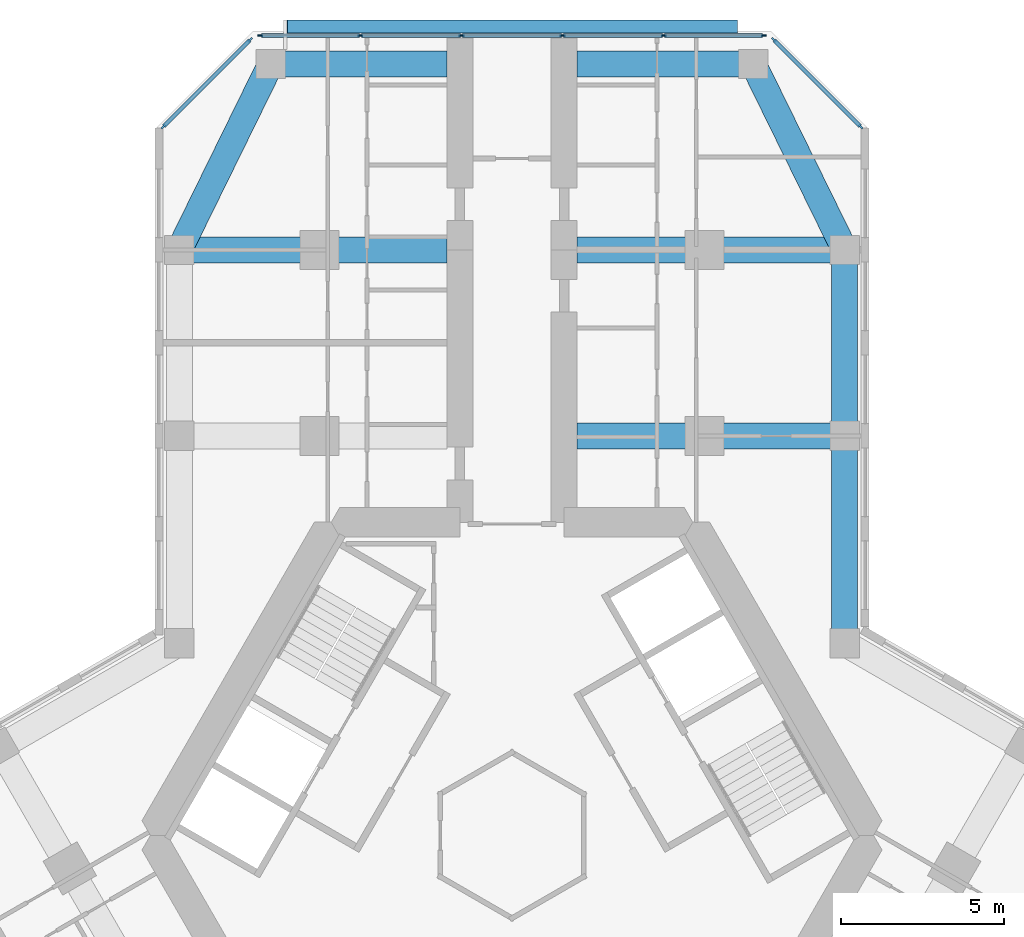
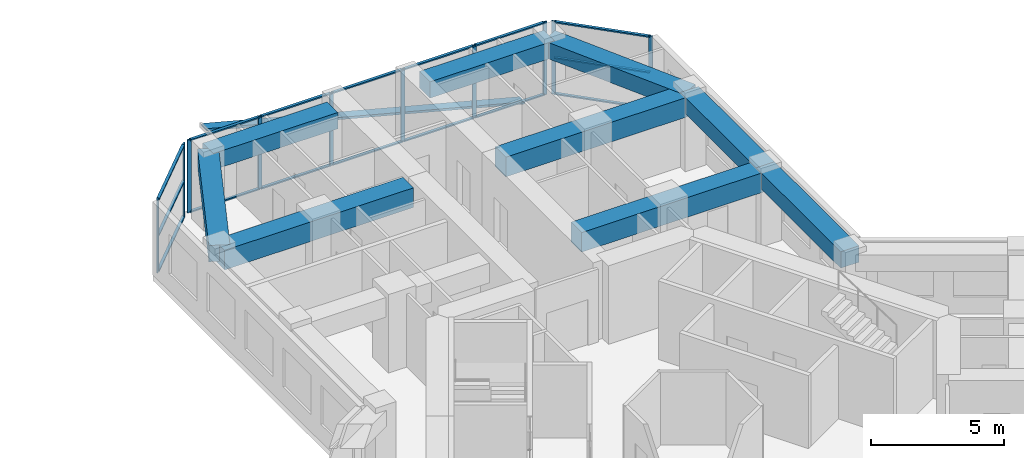
# One storey, part 7 of 19: 27 members, 9 beams, 3 elements without a shape of their own.
"""IFC4 building model written with IfcOpenShell, lengths in metres."""

from ifc_helpers import new_model, si_unit, direction, frame, origin, origin_2d, place, context, subcontext, project, spatial, rectangle, extrude, material, material_profile, profile_set, type_object, element, aggregate, save


model = new_model("IFC4")

# Units and contexts
model_context = context("Model", 3, precision=1e-05, world=origin(), true_north=direction((0.0, 1.0)))
body_context = subcontext(model_context, "Body", "Model", "MODEL_VIEW")
ifc_project = project(units=[si_unit("LENGTHUNIT", "METRE"), si_unit("AREAUNIT", "SQUARE_METRE"), si_unit("VOLUMEUNIT", "CUBIC_METRE"), si_unit("PLANEANGLEUNIT", "RADIAN"), si_unit("MASSUNIT", "GRAM", prefix="KILO")], contexts=[model_context])

# Site, building, storey
site_placement = place(None, origin())
site = spatial("IfcSite", under=ifc_project, at=site_placement, CompositionType="ELEMENT")
building_placement = place(site_placement, origin())
building = spatial("IfcBuilding", under=site, at=building_placement, Name="Kosmar Iwan School Tower", CompositionType="ELEMENT")
storey_placement = place(building_placement, frame((0.0, 0.0, 138.199951171875)))
storey = spatial("IfcBuildingStorey", under=building, at=storey_placement, Name="L34", CompositionType="ELEMENT", Elevation=138.199951171875)

# Member
ifc_material_1 = material(Name="Black anodised aluminium", Category="aluminium")
ifc_material_profile_1 = material_profile(ifc_material_1, rectangle(XDim=0.10009765625, YDim=0.39990234375, at=origin_2d()), Name="FIN 100x400")
ifc_profile_set_1 = profile_set([ifc_material_profile_1], Name="Black anodised aluminium")
member_type_1 = type_object("IfcMemberType", Name="Diagonal fin 100x400", PredefinedType="USERDEFINED", material=ifc_profile_set_1)
member_1_placement = place(storey_placement, frame((6.898193359375, 24.800048828125, -0.14990234375), z_axis=(-0.967603633438, 0.0, 0.252474174041), x_axis=(0.252474174041, 0.0, 0.967603633438)))
element("IfcMember", 1, at=member_1_placement, inside=storey, type_object=member_type_1, Name="Diagonal fin L34-F08", ObjectType="FIN", PredefinedType="USERDEFINED", context=body_context, shape_type="SweptSolid", body=[
    extrude(rectangle(XDim=0.10009765625, YDim=0.39990234375, at=origin_2d()), origin(), (0.0, 0.0, 1.0), 14.25830078125),
])

# Curtain wall, members
ifc_material_2 = material(Name="Dark glass in black aluminium frame", Category="aluminium")
curtain_wall_type_1 = type_object("IfcCurtainWallType", Name="Chamfer curtain wall dark glass", PredefinedType="USERDEFINED", material=ifc_material_2)
curtain_wall_1_placement = place(storey_placement, origin())
curtain_wall_1 = element("IfcCurtainWall", 2, at=curtain_wall_1_placement, inside=storey, type_object=curtain_wall_type_1, Name="Curtain wall L34-F07", ObjectType="FACETED CURTAIN WALL", PredefinedType="USERDEFINED")
ifc_material_3 = material(Name="Black anodised aluminium", Category="aluminium")
ifc_material_profile_2 = material_profile(ifc_material_3, rectangle(XDim=0.06005859375, YDim=0.159912109375, at=origin_2d()), Name="MULLION 60x160")
ifc_profile_set_2 = profile_set([ifc_material_profile_2], Name="Black anodised aluminium")
member_type_2 = type_object("IfcMemberType", Name="Mullion 60x160", PredefinedType="MULLION", material=ifc_profile_set_2)
member_2_placement = place(storey_placement, frame((10.69775390625, 21.7255859375, 0.0), z_axis=(0.0, 0.0, 1.0), x_axis=(-0.707106781187, -0.707106781187, 0.0)))
member_2 = element("IfcMember", 3, at=member_2_placement, type_object=member_type_2, Name="CW2 mullion 1", PredefinedType="MULLION", context=body_context, shape_type="SweptSolid", body=[
    extrude(rectangle(XDim=0.06005859375, YDim=0.159912109375, at=origin_2d()), origin(), (0.0, 0.0, 1.0), 3.35009765625),
])
member_3_placement = place(storey_placement, frame((8.025390625, 24.397705078125, 0.0), z_axis=(0.0, 0.0, 1.0), x_axis=(-0.707106781187, -0.707106781187, 0.0)))
member_3 = element("IfcMember", 4, at=member_3_placement, type_object=member_type_2, Name="CW2 mullion 2", PredefinedType="MULLION", context=body_context, shape_type="SweptSolid", body=[
    extrude(rectangle(XDim=0.06005859375, YDim=0.159912109375, at=origin_2d()), origin(), (0.0, 0.0, 1.0), 3.35009765625),
])

ifc_material_4 = material(Name="Dark glass in black aluminium frame", Category="aluminium")
curtain_wall_type_2 = type_object("IfcCurtainWallType", Name="Tower curtain wall dark glass", PredefinedType="USERDEFINED", material=ifc_material_4)
curtain_wall_2_placement = place(storey_placement, origin())
curtain_wall_2 = element("IfcCurtainWall", 5, at=curtain_wall_2_placement, inside=storey, type_object=curtain_wall_type_2, Name="Curtain wall L34-F08", ObjectType="UNITISED CURTAIN WALL", PredefinedType="USERDEFINED")
member_4_placement = place(storey_placement, frame((7.71826171875, 24.52490234375, 0.0), z_axis=(0.0, 0.0, 1.0), x_axis=(0.0, -1.0, 0.0)))
member_4 = element("IfcMember", 6, at=member_4_placement, type_object=member_type_2, Name="CW1 mullion 1", PredefinedType="MULLION", context=body_context, shape_type="SweptSolid", body=[
    extrude(rectangle(XDim=0.06005859375, YDim=0.159912109375, at=origin_2d()), origin(), (0.0, 0.0, 1.0), 3.35009765625),
])
member_5_placement = place(storey_placement, frame((4.64892578125, 24.52490234375, 0.0), z_axis=(0.0, 0.0, 1.0), x_axis=(0.0, -1.0, 0.0)))
member_5 = element("IfcMember", 7, at=member_5_placement, type_object=member_type_2, Name="CW1 mullion 2", PredefinedType="MULLION", context=body_context, shape_type="SweptSolid", body=[
    extrude(rectangle(XDim=0.06005859375, YDim=0.159912109375, at=origin_2d()), origin(), (0.0, 0.0, 1.0), 3.35009765625),
])
member_6_placement = place(storey_placement, frame((1.549560546875, 24.52490234375, 0.0), z_axis=(0.0, 0.0, 1.0), x_axis=(0.0, -1.0, 0.0)))
member_6 = element("IfcMember", 8, at=member_6_placement, type_object=member_type_2, Name="CW1 mullion 3", PredefinedType="MULLION", context=body_context, shape_type="SweptSolid", body=[
    extrude(rectangle(XDim=0.06005859375, YDim=0.159912109375, at=origin_2d()), origin(), (0.0, 0.0, 1.0), 3.35009765625),
])
member_7_placement = place(storey_placement, frame((-1.549560546875, 24.52490234375, 0.0), z_axis=(0.0, 0.0, 1.0), x_axis=(0.0, -1.0, 0.0)))
member_7 = element("IfcMember", 9, at=member_7_placement, type_object=member_type_2, Name="CW1 mullion 4", PredefinedType="MULLION", context=body_context, shape_type="SweptSolid", body=[
    extrude(rectangle(XDim=0.06005859375, YDim=0.159912109375, at=origin_2d()), origin(), (0.0, 0.0, 1.0), 3.35009765625),
])
member_8_placement = place(storey_placement, frame((-4.64892578125, 24.52490234375, 0.0), z_axis=(0.0, 0.0, 1.0), x_axis=(0.0, -1.0, 0.0)))
member_8 = element("IfcMember", 10, at=member_8_placement, type_object=member_type_2, Name="CW1 mullion 5", PredefinedType="MULLION", context=body_context, shape_type="SweptSolid", body=[
    extrude(rectangle(XDim=0.06005859375, YDim=0.159912109375, at=origin_2d()), origin(), (0.0, 0.0, 1.0), 3.35009765625),
])
member_9_placement = place(storey_placement, frame((-7.71826171875, 24.52490234375, 0.0), z_axis=(0.0, 0.0, 1.0), x_axis=(0.0, -1.0, 0.0)))
member_9 = element("IfcMember", 11, at=member_9_placement, type_object=member_type_2, Name="CW1 mullion 6", PredefinedType="MULLION", context=body_context, shape_type="SweptSolid", body=[
    extrude(rectangle(XDim=0.06005859375, YDim=0.159912109375, at=origin_2d()), origin(), (0.0, 0.0, 1.0), 3.35009765625),
])

curtain_wall_3_placement = place(storey_placement, origin())
curtain_wall_3 = element("IfcCurtainWall", 12, at=curtain_wall_3_placement, inside=storey, type_object=curtain_wall_type_1, Name="Curtain wall L34-F09", ObjectType="FACETED CURTAIN WALL", PredefinedType="USERDEFINED")
member_10_placement = place(storey_placement, frame((-8.025390625, 24.397705078125, 0.0), z_axis=(0.0, 0.0, 1.0), x_axis=(0.707106781187, -0.707106781187, 0.0)))
member_10 = element("IfcMember", 13, at=member_10_placement, type_object=member_type_2, Name="CW2 mullion 1", PredefinedType="MULLION", context=body_context, shape_type="SweptSolid", body=[
    extrude(rectangle(XDim=0.06005859375, YDim=0.159912109375, at=origin_2d()), origin(), (0.0, 0.0, 1.0), 3.35009765625),
])
member_11_placement = place(storey_placement, frame((-10.69775390625, 21.7255859375, 0.0), z_axis=(0.0, 0.0, 1.0), x_axis=(0.707106781187, -0.707106781187, 0.0)))
member_11 = element("IfcMember", 14, at=member_11_placement, type_object=member_type_2, Name="CW2 mullion 2", PredefinedType="MULLION", context=body_context, shape_type="SweptSolid", body=[
    extrude(rectangle(XDim=0.06005859375, YDim=0.159912109375, at=origin_2d()), origin(), (0.0, 0.0, 1.0), 3.35009765625),
])

# Beams
ifc_material_5 = material(Name="Concrete C50/60", Category="concrete")
ifc_material_profile_3 = material_profile(ifc_material_5, rectangle(XDim=0.800048828125, YDim=0.75, at=origin_2d()), Name="RC 800x750")
ifc_profile_set_3 = profile_set([ifc_material_profile_3], Name="Concrete C50/60")
beam_type_1 = type_object("IfcBeamType", Name="RC edge beam 800x750", PredefinedType="BEAM", material=ifc_profile_set_3)
beam_1_placement = place(storey_placement, frame((10.199951171875, 5.888916015625, 2.97509765625), z_axis=(0.0, 1.0, 0.0), x_axis=(-1.0, 0.0, 0.0)))
element("IfcBeam", 15, at=beam_1_placement, inside=storey, type_object=beam_type_1, Name="Edge beam AR1", PredefinedType="BEAM", context=body_context, shape_type="SweptSolid", body=[
    extrude(rectangle(XDim=0.800048828125, YDim=0.75, at=origin_2d()), origin(), (0.0, 0.0, 1.0), 6.361083984375),
])
beam_2_placement = place(storey_placement, frame((10.199951171875, 12.25, 2.97509765625), z_axis=(0.0, 1.0, 0.0), x_axis=(-1.0, 0.0, 0.0)))
element("IfcBeam", 16, at=beam_2_placement, inside=storey, type_object=beam_type_1, Name="Edge beam AR2", PredefinedType="BEAM", context=body_context, shape_type="SweptSolid", body=[
    extrude(rectangle(XDim=0.800048828125, YDim=0.75, at=origin_2d()), origin(), (0.0, 0.0, 1.0), 5.699951171875),
])
ifc_material_6 = material(Name="Concrete C50/60", Category="concrete")
ifc_material_profile_4 = material_profile(ifc_material_6, rectangle(XDim=0.800048828125, YDim=0.75, at=origin_2d()), Name="RC 800x750")
ifc_profile_set_4 = profile_set([ifc_material_profile_4], Name="Concrete C50/60")
beam_type_2 = type_object("IfcBeamType", Name="RC tip beam 800x750", PredefinedType="BEAM", material=ifc_profile_set_4)
beam_3_placement = place(storey_placement, frame((-10.199951171875, 17.949951171875, 2.97509765625), z_axis=(0.440913116462, 0.897549788999, 0.0), x_axis=(-0.897549788999, 0.440913116462, 0.0)))
element("IfcBeam", 17, at=beam_3_placement, inside=storey, type_object=beam_type_2, Name="Tip beam AL", PredefinedType="BEAM", context=body_context, shape_type="SweptSolid", body=[
    extrude(rectangle(XDim=0.800048828125, YDim=0.75, at=origin_2d()), origin(), (0.0, 0.0, 1.0), 6.3505859375),
])
beam_4_placement = place(storey_placement, frame((-7.39990234375, 23.64990234375, 2.97509765625), z_axis=(1.0, 0.0, 0.0), x_axis=(0.0, 1.0, 0.0)))
element("IfcBeam", 18, at=beam_4_placement, inside=storey, type_object=beam_type_2, Name="Tip beam AL to corridor wall", PredefinedType="BEAM", context=body_context, shape_type="SweptSolid", body=[
    extrude(rectangle(XDim=0.800048828125, YDim=0.75, at=origin_2d()), origin(), (0.0, 0.0, 1.0), 5.39990234375),
])
beam_5_placement = place(storey_placement, frame((10.199951171875, 17.949951171875, 2.97509765625), z_axis=(-0.440913116462, 0.897549788999, 0.0), x_axis=(-0.897549788999, -0.440913116462, 0.0)))
element("IfcBeam", 19, at=beam_5_placement, inside=storey, type_object=beam_type_2, Name="Tip beam AR", PredefinedType="BEAM", context=body_context, shape_type="SweptSolid", body=[
    extrude(rectangle(XDim=0.800048828125, YDim=0.75, at=origin_2d()), origin(), (0.0, 0.0, 1.0), 6.3505859375),
])
beam_6_placement = place(storey_placement, frame((7.39990234375, 23.64990234375, 2.97509765625), z_axis=(-1.0, 0.0, 0.0), x_axis=(0.0, -1.0, 0.0)))
element("IfcBeam", 20, at=beam_6_placement, inside=storey, type_object=beam_type_2, Name="Tip beam AR to corridor wall", PredefinedType="BEAM", context=body_context, shape_type="SweptSolid", body=[
    extrude(rectangle(XDim=0.800048828125, YDim=0.75, at=origin_2d()), origin(), (0.0, 0.0, 1.0), 5.39990234375),
])
ifc_material_7 = material(Name="Concrete C50/60", Category="concrete")
ifc_material_profile_5 = material_profile(ifc_material_7, rectangle(XDim=0.800048828125, YDim=0.89990234375, at=origin_2d()), Name="RC 800x900")
ifc_profile_set_5 = profile_set([ifc_material_profile_5], Name="Concrete C50/60")
beam_type_3 = type_object("IfcBeamType", Name="RC transverse beam 800x900", PredefinedType="BEAM", material=ifc_profile_set_5)
for number, where, z_axis, x_axis, name in (
    (21, (-10.199951171875, 17.949951171875, 2.900146484375), (1.0, 0.0, 0.0), (0.0, 1.0, 0.0), "Transverse beam AL2"),
    (22, (10.199951171875, 12.25, 2.900146484375), (-1.0, 0.0, 0.0), (0.0, -1.0, 0.0), "Transverse beam AR1"),
    (23, (10.199951171875, 17.949951171875, 2.900146484375), (-1.0, 0.0, 0.0), (0.0, -1.0, 0.0), "Transverse beam AR2"),
):
    element("IfcBeam", number, at=place(storey_placement, frame(where, z_axis=z_axis, x_axis=x_axis)), inside=storey, type_object=beam_type_3, Name=name, PredefinedType="BEAM", context=body_context, shape_type="SweptSolid", body=[
        extrude(rectangle(XDim=0.800048828125, YDim=0.89990234375, at=origin_2d()), origin(), (0.0, 0.0, 1.0), 8.199951171875),
    ])

# Member
ifc_material_8 = material(Name="Black anodised aluminium", Category="aluminium")
ifc_material_profile_6 = material_profile(ifc_material_8, rectangle(XDim=0.1201171875, YDim=0.06005859375, at=origin_2d()), Name="TRANSOM 60x120")
ifc_profile_set_6 = profile_set([ifc_material_profile_6], Name="Black anodised aluminium")
member_type_3 = type_object("IfcMemberType", Name="Transom 60x120", PredefinedType="USERDEFINED", material=ifc_profile_set_6)
member_12_placement = place(storey_placement, frame((10.676513671875, 21.746826171875, 0.030029296875), z_axis=(-0.707139603466, 0.707073957383, 0.0), x_axis=(-0.707073957383, -0.707139603466, 0.0)))
member_12 = element("IfcMember", 24, at=member_12_placement, type_object=member_type_3, Name="CW2 transom 1.1", ObjectType="TRANSOM", PredefinedType="USERDEFINED", context=body_context, shape_type="SweptSolid", body=[
    extrude(rectangle(XDim=0.1201171875, YDim=0.06005859375, at=origin_2d()), origin(), (0.0, 0.0, 1.0), 3.718994140625),
])

member_13_placement = place(storey_placement, frame((10.676513671875, 21.746826171875, 1.675048828125), z_axis=(-0.707139603466, 0.707073957383, 0.0), x_axis=(-0.707073957383, -0.707139603466, 0.0)))
member_13 = element("IfcMember", 25, at=member_13_placement, type_object=member_type_3, Name="CW2 transom 1.2", ObjectType="TRANSOM", PredefinedType="USERDEFINED", context=body_context, shape_type="SweptSolid", body=[
    extrude(rectangle(XDim=0.1201171875, YDim=0.06005859375, at=origin_2d()), origin(), (0.0, 0.0, 1.0), 3.718994140625),
])

member_14_placement = place(storey_placement, frame((10.676513671875, 21.746826171875, 3.320068359375), z_axis=(-0.707139603466, 0.707073957383, 0.0), x_axis=(-0.707073957383, -0.707139603466, 0.0)))
member_14 = element("IfcMember", 26, at=member_14_placement, type_object=member_type_3, Name="CW2 transom 1.3", ObjectType="TRANSOM", PredefinedType="USERDEFINED", context=body_context, shape_type="SweptSolid", body=[
    extrude(rectangle(XDim=0.1201171875, YDim=0.06005859375, at=origin_2d()), origin(), (0.0, 0.0, 1.0), 3.718994140625),
])

aggregate(curtain_wall_1, [member_2, member_3, member_12, member_13, member_14])

member_15_placement = place(storey_placement, frame((7.688232421875, 24.52490234375, 0.030029296875), z_axis=(-1.0, 0.0, 0.0), x_axis=(0.0, -1.0, 0.0)))
member_15 = element("IfcMember", 27, at=member_15_placement, type_object=member_type_3, Name="CW1 transom 1.1", ObjectType="TRANSOM", PredefinedType="USERDEFINED", context=body_context, shape_type="SweptSolid", body=[
    extrude(rectangle(XDim=0.1201171875, YDim=0.06005859375, at=origin_2d()), origin(), (0.0, 0.0, 1.0), 3.00927734375),
])

member_16_placement = place(storey_placement, frame((7.688232421875, 24.52490234375, 3.320068359375), z_axis=(-1.0, 0.0, 0.0), x_axis=(0.0, -1.0, 0.0)))
member_16 = element("IfcMember", 28, at=member_16_placement, type_object=member_type_3, Name="CW1 transom 1.2", ObjectType="TRANSOM", PredefinedType="USERDEFINED", context=body_context, shape_type="SweptSolid", body=[
    extrude(rectangle(XDim=0.1201171875, YDim=0.06005859375, at=origin_2d()), origin(), (0.0, 0.0, 1.0), 3.00927734375),
])

member_17_placement = place(storey_placement, frame((4.618896484375, 24.52490234375, 0.030029296875), z_axis=(-1.0, 0.0, 0.0), x_axis=(0.0, -1.0, 0.0)))
member_17 = element("IfcMember", 29, at=member_17_placement, type_object=member_type_3, Name="CW1 transom 2.1", ObjectType="TRANSOM", PredefinedType="USERDEFINED", context=body_context, shape_type="SweptSolid", body=[
    extrude(rectangle(XDim=0.1201171875, YDim=0.06005859375, at=origin_2d()), origin(), (0.0, 0.0, 1.0), 3.039306640625),
])

member_18_placement = place(storey_placement, frame((4.618896484375, 24.52490234375, 3.320068359375), z_axis=(-1.0, 0.0, 0.0), x_axis=(0.0, -1.0, 0.0)))
member_18 = element("IfcMember", 30, at=member_18_placement, type_object=member_type_3, Name="CW1 transom 2.2", ObjectType="TRANSOM", PredefinedType="USERDEFINED", context=body_context, shape_type="SweptSolid", body=[
    extrude(rectangle(XDim=0.1201171875, YDim=0.06005859375, at=origin_2d()), origin(), (0.0, 0.0, 1.0), 3.039306640625),
])

member_19_placement = place(storey_placement, frame((1.51953125, 24.52490234375, 0.030029296875), z_axis=(-1.0, 0.0, 0.0), x_axis=(0.0, -1.0, 0.0)))
member_19 = element("IfcMember", 31, at=member_19_placement, type_object=member_type_3, Name="CW1 transom 3.1", ObjectType="TRANSOM", PredefinedType="USERDEFINED", context=body_context, shape_type="SweptSolid", body=[
    extrude(rectangle(XDim=0.1201171875, YDim=0.06005859375, at=origin_2d()), origin(), (0.0, 0.0, 1.0), 3.0390625),
])

member_20_placement = place(storey_placement, frame((1.51953125, 24.52490234375, 3.320068359375), z_axis=(-1.0, 0.0, 0.0), x_axis=(0.0, -1.0, 0.0)))
member_20 = element("IfcMember", 32, at=member_20_placement, type_object=member_type_3, Name="CW1 transom 3.2", ObjectType="TRANSOM", PredefinedType="USERDEFINED", context=body_context, shape_type="SweptSolid", body=[
    extrude(rectangle(XDim=0.1201171875, YDim=0.06005859375, at=origin_2d()), origin(), (0.0, 0.0, 1.0), 3.0390625),
])

member_21_placement = place(storey_placement, frame((-1.57958984375, 24.52490234375, 0.030029296875), z_axis=(-1.0, 0.0, 0.0), x_axis=(0.0, -1.0, 0.0)))
member_21 = element("IfcMember", 33, at=member_21_placement, type_object=member_type_3, Name="CW1 transom 4.1", ObjectType="TRANSOM", PredefinedType="USERDEFINED", context=body_context, shape_type="SweptSolid", body=[
    extrude(rectangle(XDim=0.1201171875, YDim=0.06005859375, at=origin_2d()), origin(), (0.0, 0.0, 1.0), 3.039306640625),
])

member_22_placement = place(storey_placement, frame((-1.57958984375, 24.52490234375, 3.320068359375), z_axis=(-1.0, 0.0, 0.0), x_axis=(0.0, -1.0, 0.0)))
member_22 = element("IfcMember", 34, at=member_22_placement, type_object=member_type_3, Name="CW1 transom 4.2", ObjectType="TRANSOM", PredefinedType="USERDEFINED", context=body_context, shape_type="SweptSolid", body=[
    extrude(rectangle(XDim=0.1201171875, YDim=0.06005859375, at=origin_2d()), origin(), (0.0, 0.0, 1.0), 3.039306640625),
])

member_23_placement = place(storey_placement, frame((-4.678955078125, 24.52490234375, 0.030029296875), z_axis=(-1.0, 0.0, 0.0), x_axis=(0.0, -1.0, 0.0)))
member_23 = element("IfcMember", 35, at=member_23_placement, type_object=member_type_3, Name="CW1 transom 5.1", ObjectType="TRANSOM", PredefinedType="USERDEFINED", context=body_context, shape_type="SweptSolid", body=[
    extrude(rectangle(XDim=0.1201171875, YDim=0.06005859375, at=origin_2d()), origin(), (0.0, 0.0, 1.0), 3.00927734375),
])

member_24_placement = place(storey_placement, frame((-4.678955078125, 24.52490234375, 3.320068359375), z_axis=(-1.0, 0.0, 0.0), x_axis=(0.0, -1.0, 0.0)))
member_24 = element("IfcMember", 36, at=member_24_placement, type_object=member_type_3, Name="CW1 transom 5.2", ObjectType="TRANSOM", PredefinedType="USERDEFINED", context=body_context, shape_type="SweptSolid", body=[
    extrude(rectangle(XDim=0.1201171875, YDim=0.06005859375, at=origin_2d()), origin(), (0.0, 0.0, 1.0), 3.00927734375),
])

aggregate(curtain_wall_2, [member_4, member_5, member_6, member_7, member_8, member_9, member_15, member_16, member_17, member_18, member_19, member_20, member_21, member_22, member_23, member_24])

member_25_placement = place(storey_placement, frame((-8.046630859375, 24.37646484375, 0.030029296875), z_axis=(-0.707139603466, -0.707073957383, 0.0), x_axis=(0.707073957383, -0.707139603466, 0.0)))
member_25 = element("IfcMember", 37, at=member_25_placement, type_object=member_type_3, Name="CW2 transom 1.1", ObjectType="TRANSOM", PredefinedType="USERDEFINED", context=body_context, shape_type="SweptSolid", body=[
    extrude(rectangle(XDim=0.1201171875, YDim=0.06005859375, at=origin_2d()), origin(), (0.0, 0.0, 1.0), 3.718994140625),
])

member_26_placement = place(storey_placement, frame((-8.046630859375, 24.37646484375, 1.675048828125), z_axis=(-0.707139603466, -0.707073957383, 0.0), x_axis=(0.707073957383, -0.707139603466, 0.0)))
member_26 = element("IfcMember", 38, at=member_26_placement, type_object=member_type_3, Name="CW2 transom 1.2", ObjectType="TRANSOM", PredefinedType="USERDEFINED", context=body_context, shape_type="SweptSolid", body=[
    extrude(rectangle(XDim=0.1201171875, YDim=0.06005859375, at=origin_2d()), origin(), (0.0, 0.0, 1.0), 3.718994140625),
])

member_27_placement = place(storey_placement, frame((-8.046630859375, 24.37646484375, 3.320068359375), z_axis=(-0.707139603466, -0.707073957383, 0.0), x_axis=(0.707073957383, -0.707139603466, 0.0)))
member_27 = element("IfcMember", 39, at=member_27_placement, type_object=member_type_3, Name="CW2 transom 1.3", ObjectType="TRANSOM", PredefinedType="USERDEFINED", context=body_context, shape_type="SweptSolid", body=[
    extrude(rectangle(XDim=0.1201171875, YDim=0.06005859375, at=origin_2d()), origin(), (0.0, 0.0, 1.0), 3.718994140625),
])

aggregate(curtain_wall_3, [member_10, member_11, member_25, member_26, member_27])

save(model, "model.ifc")
